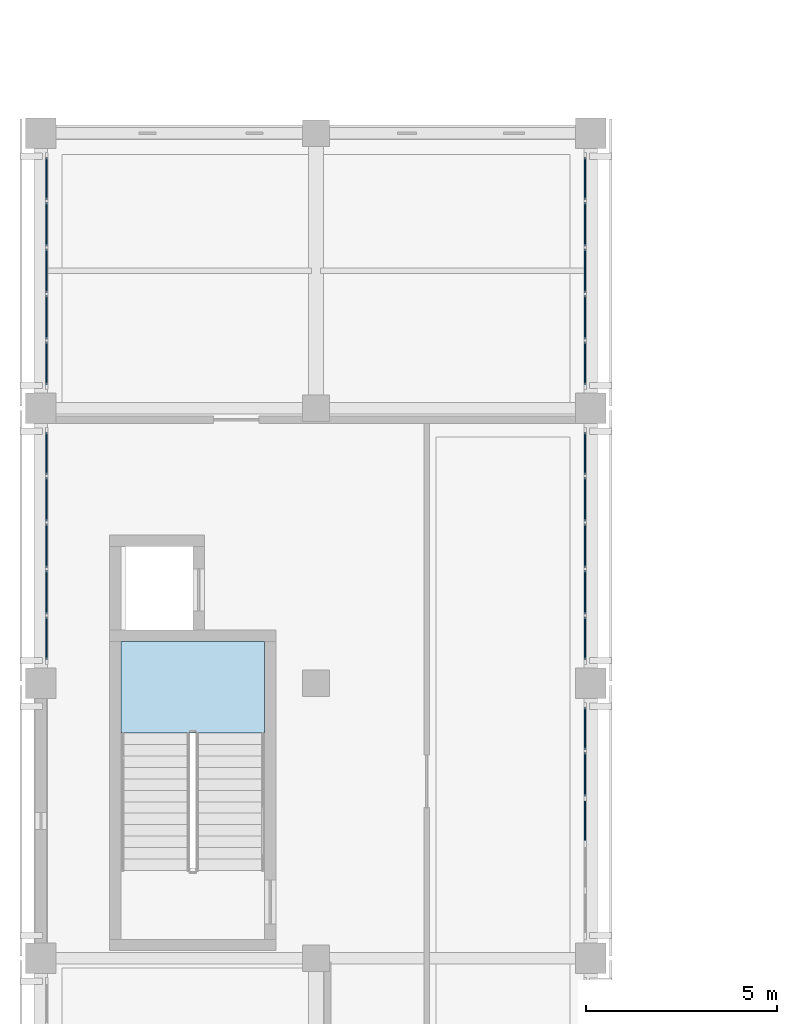
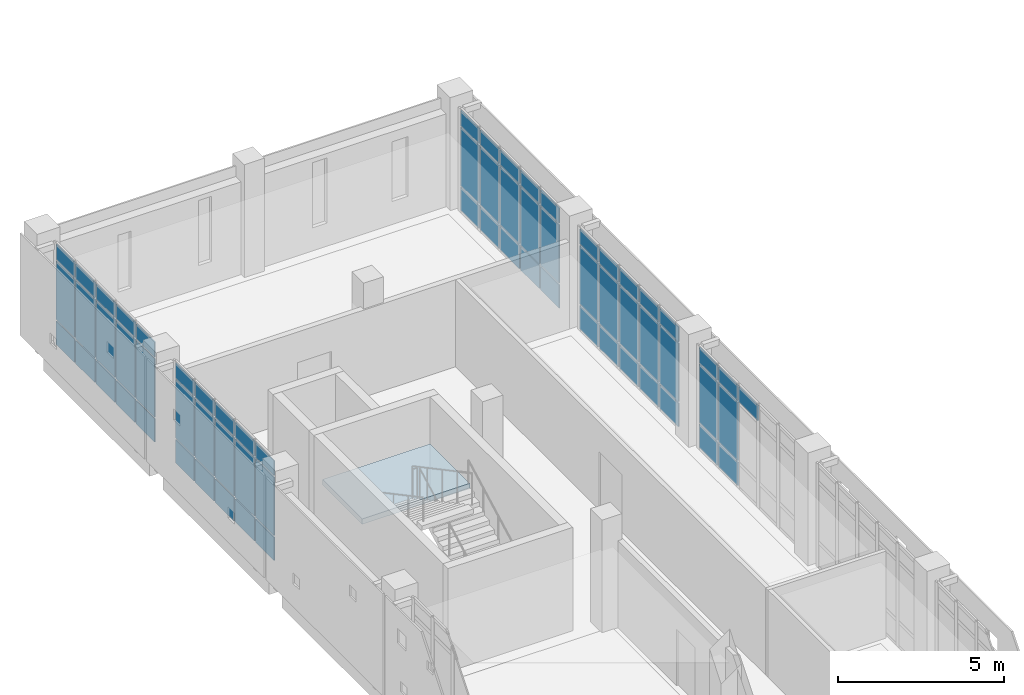
# One storey, part 21 of 33: 67 plates, 1 slab, 6 elements without a shape of their own.
"""IFC4 building model written with IfcOpenShell, lengths in metres."""

import ifcopenshell
import ifcopenshell.guid

model = None  # the IFC model being written
_history = None  # IfcOwnerHistory: only IFC2X3 demands one
_inside = {}  # id of a spatial element -> (the spatial element, [elements in it])
_under = {}  # id of a project, library or spatial element -> (it, [spatial elements below it])
_declared = {}  # id of a project -> (the project, [libraries it declares])
_typed = {}  # id of a type object -> (the type object, [elements of that type])
_made_of = {}  # id of a material, layer set ... -> (it, [elements and type objects made of it])


def new_model(schema):
    """Start an empty IFC model of exactly this schema.

    Asked for "IFC4X3", IfcOpenShell would pick the latest addendum, in which some entities
    have other attributes; the version numbers below select the first issue.
    IFC2X3 requires an IfcOwnerHistory on every rooted entity: one is made here for all.
    """
    global model, _history
    if schema == "IFC4X3":
        model = ifcopenshell.file(schema_version=(4, 3, 0, 0))
    else:
        model = ifcopenshell.file(schema=schema)
    _inside.clear()
    _under.clear()
    _declared.clear()
    _typed.clear()
    _made_of.clear()
    _history = None
    if model.schema == "IFC2X3":
        org = make("IfcOrganization", Name="unknown")
        user = make(
            "IfcPersonAndOrganization",
            ThePerson=make("IfcPerson", FamilyName="unknown"),
            TheOrganization=org,
        )
        app = make(
            "IfcApplication",
            ApplicationDeveloper=org,
            Version="unknown",
            ApplicationFullName="unknown",
            ApplicationIdentifier="unknown",
        )
        _history = make(
            "IfcOwnerHistory",
            OwningUser=user,
            OwningApplication=app,
            ChangeAction="ADDED",
            CreationDate=0,
        )
    return model


def make(cls, **values):
    """One entity of the class cls with the attributes given. An attribute that is None is left unset."""
    return model.create_entity(
        cls, **{name: value for name, value in values.items() if value is not None}
    )


def rooted(cls, **values):
    """An entity with a GlobalId (a new one), such as an element, a storey or a relation."""
    return make(cls, GlobalId=ifcopenshell.guid.new(), OwnerHistory=_history, **values)


def si_unit(unit_type, name, prefix=None):
    """IfcSIUnit, for example si_unit("LENGTHUNIT", "METRE", prefix="MILLI")."""
    return make("IfcSIUnit", UnitType=unit_type, Prefix=prefix, Name=name)


def assignment(units):
    """IfcUnitAssignment: the units of a project."""
    return None if units is None else make("IfcUnitAssignment", Units=units)


def point(xyz):
    """IfcCartesianPoint."""
    return None if xyz is None else make("IfcCartesianPoint", Coordinates=xyz)


def direction(xyz):
    """IfcDirection."""
    return None if xyz is None else make("IfcDirection", DirectionRatios=xyz)


def frame(location, z_axis=None, x_axis=None):
    """IfcAxis2Placement3D, a coordinate frame: its origin and axes. An axis left out is left unset."""
    return make(
        "IfcAxis2Placement3D",
        Location=point(location),
        Axis=direction(z_axis),
        RefDirection=direction(x_axis),
    )


def frame_2d(location, x_axis=None):
    """IfcAxis2Placement2D, a coordinate frame in the plane: its origin and x axis."""
    return make(
        "IfcAxis2Placement2D", Location=point(location), RefDirection=direction(x_axis)
    )


def origin():
    """The frame at (0, 0, 0) with its axes left unset."""
    return frame((0.0, 0.0, 0.0))


def origin_2d():
    """The frame at (0, 0) in the plane with its x axis left unset."""
    return frame_2d((0.0, 0.0))


def place(relative_to, where):
    """IfcLocalPlacement: puts the frame where relative to a parent placement (None: the world)."""
    return make(
        "IfcLocalPlacement", PlacementRelTo=relative_to, RelativePlacement=where
    )


def context(
    kind, dimensions, precision=None, world=None, true_north=None, identifier=None
):
    """IfcGeometricRepresentationContext, for example the 3D "Model" context."""
    return make(
        "IfcGeometricRepresentationContext",
        ContextIdentifier=identifier,
        ContextType=kind,
        CoordinateSpaceDimension=dimensions,
        Precision=precision,
        WorldCoordinateSystem=world,
        TrueNorth=true_north,
    )


def subcontext(parent, identifier, kind, view, scale=None):
    """IfcGeometricRepresentationSubContext, for example "Body" below "Model"."""
    return make(
        "IfcGeometricRepresentationSubContext",
        ContextIdentifier=identifier,
        ContextType=kind,
        ParentContext=parent,
        TargetScale=scale,
        TargetView=view,
    )


def project(units=None, contexts=None):
    """IfcProject with its units and contexts."""
    return rooted(
        "IfcProject",
        Name="project",
        RepresentationContexts=contexts,
        UnitsInContext=assignment(units),
    )


def spatial(cls, under=None, at=None, **own):
    """A site, building, storey or space (cls), placed at a placement, below another one or the project."""
    s = rooted(cls, ObjectPlacement=at, **own)
    if under is not None:
        _under.setdefault(under.id(), (under, []))[1].append(s)
    return s


def polyline(points):
    """IfcPolyline through the points."""
    return make("IfcPolyline", Points=[point(p) for p in points])


def profile(cls, at=None, kind="AREA", **sizes):
    """A parametric profile (cls). Its sizes go by their IFC names, for example OverallWidth=200.0."""
    return make(cls, ProfileType=kind, Position=at, **sizes)


def rectangle(**sizes):
    """IfcRectangleProfileDef."""
    return profile("IfcRectangleProfileDef", **sizes)


def outline(outer, holes=None, kind="AREA"):
    """IfcArbitraryClosedProfileDef: a profile drawn as a closed curve; with holes, ...WithVoids."""
    if holes is None:
        return make("IfcArbitraryClosedProfileDef", ProfileType=kind, OuterCurve=outer)
    return make(
        "IfcArbitraryProfileDefWithVoids",
        ProfileType=kind,
        OuterCurve=outer,
        InnerCurves=holes,
    )


def extrude(swept, where, along, depth):
    """IfcExtrudedAreaSolid: the profile swept, set in the frame where, extruded along a direction by depth."""
    return make(
        "IfcExtrudedAreaSolid",
        SweptArea=swept,
        Position=where,
        ExtrudedDirection=direction(along),
        Depth=depth,
    )


def shape(context_of_items, identifier, shape_type, items):
    """IfcShapeRepresentation: the items that make up one representation, for example the "Body"."""
    return make(
        "IfcShapeRepresentation",
        ContextOfItems=context_of_items,
        RepresentationIdentifier=identifier,
        RepresentationType=shape_type,
        Items=items,
    )


def material(Name=None, Category=None):
    """IfcMaterial."""
    return make("IfcMaterial", Name=Name, Category=Category)


def layer(
    of_material, thickness, ventilated=None, Name=None, Category=None, Priority=None
):
    """IfcMaterialLayer: one layer of a wall or slab, of a material (None: an air gap)."""
    return make(
        "IfcMaterialLayer",
        Material=of_material,
        LayerThickness=thickness,
        IsVentilated=ventilated,
        Name=Name,
        Category=Category,
        Priority=Priority,
    )


def layer_set(layers, Name=None):
    """IfcMaterialLayerSet."""
    return make("IfcMaterialLayerSet", MaterialLayers=layers, LayerSetName=Name)


def made_of(thing, what):
    """Note that an element or type object is made of a material, layer set ...; save() writes the relation."""
    if what is not None:
        _made_of.setdefault(what.id(), (what, []))[1].append(thing)
    return thing


def type_object(cls, material=None, **own):
    """A type object (cls), such as IfcWallType, which elements share."""
    return made_of(rooted(cls, **own), material)


def element(
    cls,
    number,
    at=None,
    inside=None,
    cuts=None,
    type_object=None,
    material=None,
    context=None,
    identifier="Body",
    shape_type=None,
    held_by="IfcProductDefinitionShape",
    body=None,
    shapes=None,
    **own,
):
    """One element of the class cls, such as IfcWall. Its Tag is "e" and its number.

    at: its placement. inside: the storey or other place that contains it. cuts: it is an
    opening in that element (IfcRelVoidsElement). A single representation is given by context,
    identifier, shape_type and body (its items); several are given by shapes. held_by: the class
    of the entity that holds the representations. save() writes the other relations.
    """
    e = rooted(cls, Tag="e%d" % number, ObjectPlacement=at, **own)
    if body is not None:
        shapes = [shape(context, identifier, shape_type, body)]
    if shapes is not None:
        e.Representation = make(held_by, Representations=shapes)
    if inside is not None:
        _inside.setdefault(inside.id(), (inside, []))[1].append(e)
    if cuts is not None:
        rooted(
            "IfcRelVoidsElement", RelatingBuildingElement=cuts, RelatedOpeningElement=e
        )
    if type_object is not None:
        _typed.setdefault(type_object.id(), (type_object, []))[1].append(e)
    return made_of(e, material)


def aggregate(whole, parts):
    """IfcRelAggregates: a whole, such as a stair, and the parts it consists of."""
    return rooted("IfcRelAggregates", RelatingObject=whole, RelatedObjects=parts)


def save(model, path):
    """Write the relations noted so far, then the file.

    IfcRelAggregates (storeys below a building ...), IfcRelContainedInSpatialStructure (elements
    in a storey), IfcRelDefinesByType, IfcRelAssociatesMaterial and IfcRelDeclares: one each for
    every whole, place, type object, material and project.
    """
    for whole, parts in _under.values():
        aggregate(whole, parts)
    for where, things in _inside.values():
        rooted(
            "IfcRelContainedInSpatialStructure",
            RelatedElements=things,
            RelatingStructure=where,
        )
    for kind, things in _typed.values():
        rooted("IfcRelDefinesByType", RelatedObjects=things, RelatingType=kind)
    for what, things in _made_of.values():
        rooted("IfcRelAssociatesMaterial", RelatedObjects=things, RelatingMaterial=what)
    for by, libraries in _declared.values():
        rooted("IfcRelDeclares", RelatingContext=by, RelatedDefinitions=libraries)
    model.write(path)


model = new_model("IFC4")

# Units and contexts
model_context = context("Model", 3, precision=1e-05, world=origin(), true_north=direction((0.0, 1.0)))
body_context = subcontext(model_context, "Body", "Model", "MODEL_VIEW")
ifc_project = project(units=[si_unit("LENGTHUNIT", "METRE"), si_unit("AREAUNIT", "SQUARE_METRE"), si_unit("VOLUMEUNIT", "CUBIC_METRE"), si_unit("PLANEANGLEUNIT", "RADIAN"), si_unit("MASSUNIT", "GRAM", prefix="KILO")], contexts=[model_context])

# Site, building, storey
site_placement = place(None, origin())
site = spatial("IfcSite", under=ifc_project, at=site_placement, CompositionType="ELEMENT")
building_placement = place(site_placement, origin())
building = spatial("IfcBuilding", under=site, at=building_placement, Name="Valkovuoma Quantum and Materials Research Institute", CompositionType="ELEMENT")
storey_placement = place(building_placement, frame((0.0, 0.0, 25.60009765625)))
storey = spatial("IfcBuildingStorey", under=building, at=storey_placement, Name="L06", CompositionType="ELEMENT", Elevation=25.60009765625)

# Curtain wall, plates
ifc_material_1 = material(Name="Thermally broken aluminium and triple low-E glazing", Category="aluminium")
ifc_layer_1 = layer(ifc_material_1, 0.219970703125)
ifc_layer_set_1 = layer_set([ifc_layer_1], Name="Thermally broken aluminium and triple low-E glazing")
curtain_wall_type = type_object("IfcCurtainWallType", Name="CW-CW-01", PredefinedType="NOTDEFINED", material=ifc_layer_set_1)
curtain_wall_1_placement = place(storey_placement, origin())
curtain_wall_1 = element("IfcCurtainWall", 1, at=curtain_wall_1_placement, inside=storey, type_object=curtain_wall_type, Name="L06 curtain wall 087", PredefinedType="NOTDEFINED")
ifc_material_2 = material(Name="Triple low-E argon insulating glass", Category="glass")
ifc_layer_2 = layer(ifc_material_2, 0.035888671875)
ifc_layer_set_2 = layer_set([ifc_layer_2], Name="Triple low-E argon insulating glass")
plate_type_1 = type_object("IfcPlateType", Name="CWPanel-CWP-01", PredefinedType="CURTAIN_PANEL", material=ifc_layer_set_2)
plate_1_placement = place(storey_placement, frame((0.14990234375, 80.3818359375, 0.06494140625), z_axis=(0.0, 0.0, 1.0), x_axis=(0.0, 1.0, 0.0)))
plate_1 = element("IfcPlate", 2, at=plate_1_placement, type_object=plate_type_1, Name="CW-01 panel 1.1", PredefinedType="CURTAIN_PANEL", context=body_context, shape_type="SweptSolid", body=[
    extrude(rectangle(XDim=1.11962890625, YDim=0.035888671875, at=origin_2d()), origin(), (0.0, 0.0, 1.0), 0.8525390625),
])
plate_2_placement = place(storey_placement, frame((0.14990234375, 80.3818359375, 0.982421875), z_axis=(0.0, 0.0, 1.0), x_axis=(0.0, 1.0, 0.0)))
plate_2 = element("IfcPlate", 3, at=plate_2_placement, type_object=plate_type_1, Name="CW-01 panel 1.2", PredefinedType="CURTAIN_PANEL", context=body_context, shape_type="SweptSolid", body=[
    extrude(rectangle(XDim=1.11962890625, YDim=0.035888671875, at=origin_2d()), origin(), (0.0, 0.0, 1.0), 2.14501953125),
])
plate_3_placement = place(storey_placement, frame((0.14990234375, 80.3818359375, 3.1923828125), z_axis=(0.0, 0.0, 1.0), x_axis=(0.0, 1.0, 0.0)))
plate_3 = element("IfcPlate", 4, at=plate_3_placement, type_object=plate_type_1, Name="CW-01 panel 1.3", PredefinedType="CURTAIN_PANEL", context=body_context, shape_type="SweptSolid", body=[
    extrude(rectangle(XDim=1.11962890625, YDim=0.035888671875, at=origin_2d()), origin(), (0.0, 0.0, 1.0), 0.552490234375),
])
plate_4_placement = place(storey_placement, frame((0.14990234375, 81.582763671875, 0.06494140625), z_axis=(0.0, 0.0, 1.0), x_axis=(0.0, 1.0, 0.0)))
plate_4 = element("IfcPlate", 5, at=plate_4_placement, type_object=plate_type_1, Name="CW-01 panel 2.1", PredefinedType="CURTAIN_PANEL", context=body_context, shape_type="SweptSolid", body=[
    extrude(rectangle(XDim=1.152099609375, YDim=0.035888671875, at=origin_2d()), origin(), (0.0, 0.0, 1.0), 0.8525390625),
])
plate_5_placement = place(storey_placement, frame((0.14990234375, 81.582763671875, 0.982421875), z_axis=(0.0, 0.0, 1.0), x_axis=(0.0, 1.0, 0.0)))
plate_5 = element("IfcPlate", 6, at=plate_5_placement, type_object=plate_type_1, Name="CW-01 panel 2.2", PredefinedType="CURTAIN_PANEL", context=body_context, shape_type="SweptSolid", body=[
    extrude(rectangle(XDim=1.152099609375, YDim=0.035888671875, at=origin_2d()), origin(), (0.0, 0.0, 1.0), 2.14501953125),
])
plate_6_placement = place(storey_placement, frame((0.14990234375, 81.582763671875, 3.1923828125), z_axis=(0.0, 0.0, 1.0), x_axis=(0.0, 1.0, 0.0)))
plate_6 = element("IfcPlate", 7, at=plate_6_placement, type_object=plate_type_1, Name="CW-01 panel 2.3", PredefinedType="CURTAIN_PANEL", context=body_context, shape_type="SweptSolid", body=[
    extrude(rectangle(XDim=1.152099609375, YDim=0.035888671875, at=origin_2d()), origin(), (0.0, 0.0, 1.0), 0.552490234375),
])
plate_7_placement = place(storey_placement, frame((0.14990234375, 82.800048828125, 0.06494140625), z_axis=(0.0, 0.0, 1.0), x_axis=(0.0, 1.0, 0.0)))
plate_7 = element("IfcPlate", 8, at=plate_7_placement, type_object=plate_type_1, Name="CW-01 panel 3.1", PredefinedType="CURTAIN_PANEL", context=body_context, shape_type="SweptSolid", body=[
    extrude(rectangle(XDim=1.152099609375, YDim=0.035888671875, at=origin_2d()), origin(), (0.0, 0.0, 1.0), 0.8525390625),
])
plate_8_placement = place(storey_placement, frame((0.14990234375, 82.800048828125, 0.982421875), z_axis=(0.0, 0.0, 1.0), x_axis=(0.0, 1.0, 0.0)))
plate_8 = element("IfcPlate", 9, at=plate_8_placement, type_object=plate_type_1, Name="CW-01 panel 3.2", PredefinedType="CURTAIN_PANEL", context=body_context, shape_type="SweptSolid", body=[
    extrude(rectangle(XDim=1.152099609375, YDim=0.035888671875, at=origin_2d()), origin(), (0.0, 0.0, 1.0), 2.14501953125),
])
plate_9_placement = place(storey_placement, frame((0.14990234375, 82.800048828125, 3.1923828125), z_axis=(0.0, 0.0, 1.0), x_axis=(0.0, 1.0, 0.0)))
plate_9 = element("IfcPlate", 10, at=plate_9_placement, type_object=plate_type_1, Name="CW-01 panel 3.3", PredefinedType="CURTAIN_PANEL", context=body_context, shape_type="SweptSolid", body=[
    extrude(rectangle(XDim=1.152099609375, YDim=0.035888671875, at=origin_2d()), origin(), (0.0, 0.0, 1.0), 0.552490234375),
])
plate_10_placement = place(storey_placement, frame((0.14990234375, 84.01708984375, 0.06494140625), z_axis=(0.0, 0.0, 1.0), x_axis=(0.0, 1.0, 0.0)))
plate_10 = element("IfcPlate", 11, at=plate_10_placement, type_object=plate_type_1, Name="CW-01 panel 4.1", PredefinedType="CURTAIN_PANEL", context=body_context, shape_type="SweptSolid", body=[
    extrude(rectangle(XDim=1.152099609375, YDim=0.035888671875, at=origin_2d()), origin(), (0.0, 0.0, 1.0), 0.8525390625),
])
plate_11_placement = place(storey_placement, frame((0.14990234375, 84.01708984375, 0.982421875), z_axis=(0.0, 0.0, 1.0), x_axis=(0.0, 1.0, 0.0)))
plate_11 = element("IfcPlate", 12, at=plate_11_placement, type_object=plate_type_1, Name="CW-01 panel 4.2", PredefinedType="CURTAIN_PANEL", context=body_context, shape_type="SweptSolid", body=[
    extrude(rectangle(XDim=1.152099609375, YDim=0.035888671875, at=origin_2d()), origin(), (0.0, 0.0, 1.0), 2.14501953125),
])
plate_12_placement = place(storey_placement, frame((0.14990234375, 84.01708984375, 3.1923828125), z_axis=(0.0, 0.0, 1.0), x_axis=(0.0, 1.0, 0.0)))
plate_12 = element("IfcPlate", 13, at=plate_12_placement, type_object=plate_type_1, Name="CW-01 panel 4.3", PredefinedType="CURTAIN_PANEL", context=body_context, shape_type="SweptSolid", body=[
    extrude(rectangle(XDim=1.152099609375, YDim=0.035888671875, at=origin_2d()), origin(), (0.0, 0.0, 1.0), 0.552490234375),
])
plate_13_placement = place(storey_placement, frame((0.14990234375, 85.218017578125, 0.06494140625), z_axis=(0.0, 0.0, 1.0), x_axis=(0.0, 1.0, 0.0)))
plate_13 = element("IfcPlate", 14, at=plate_13_placement, type_object=plate_type_1, Name="CW-01 panel 5.1", PredefinedType="CURTAIN_PANEL", context=body_context, shape_type="SweptSolid", body=[
    extrude(rectangle(XDim=1.11962890625, YDim=0.035888671875, at=origin_2d()), origin(), (0.0, 0.0, 1.0), 0.8525390625),
])
plate_14_placement = place(storey_placement, frame((0.14990234375, 85.218017578125, 0.982421875), z_axis=(0.0, 0.0, 1.0), x_axis=(0.0, 1.0, 0.0)))
plate_14 = element("IfcPlate", 15, at=plate_14_placement, type_object=plate_type_1, Name="CW-01 panel 5.2", PredefinedType="CURTAIN_PANEL", context=body_context, shape_type="SweptSolid", body=[
    extrude(rectangle(XDim=1.11962890625, YDim=0.035888671875, at=origin_2d()), origin(), (0.0, 0.0, 1.0), 2.14501953125),
])
plate_15_placement = place(storey_placement, frame((0.14990234375, 85.218017578125, 3.1923828125), z_axis=(0.0, 0.0, 1.0), x_axis=(0.0, 1.0, 0.0)))
plate_15 = element("IfcPlate", 16, at=plate_15_placement, type_object=plate_type_1, Name="CW-01 panel 5.3", PredefinedType="CURTAIN_PANEL", context=body_context, shape_type="SweptSolid", body=[
    extrude(rectangle(XDim=1.11962890625, YDim=0.035888671875, at=origin_2d()), origin(), (0.0, 0.0, 1.0), 0.552490234375),
])
aggregate(curtain_wall_1, [plate_1, plate_2, plate_3, plate_4, plate_5, plate_6, plate_7, plate_8, plate_9, plate_10, plate_11, plate_12, plate_13, plate_14, plate_15])

curtain_wall_2_placement = place(storey_placement, origin())
curtain_wall_2 = element("IfcCurtainWall", 17, at=curtain_wall_2_placement, inside=storey, type_object=curtain_wall_type, Name="L06 curtain wall 089", PredefinedType="NOTDEFINED")
plate_16_placement = place(storey_placement, frame((0.14990234375, 87.58203125, 0.06494140625), z_axis=(0.0, 0.0, 1.0), x_axis=(0.0, 1.0, 0.0)))
plate_16 = element("IfcPlate", 18, at=plate_16_placement, type_object=plate_type_1, Name="CW-01 panel 1.1", PredefinedType="CURTAIN_PANEL", context=body_context, shape_type="SweptSolid", body=[
    extrude(rectangle(XDim=1.11962890625, YDim=0.035888671875, at=origin_2d()), origin(), (0.0, 0.0, 1.0), 0.8525390625),
])
plate_17_placement = place(storey_placement, frame((0.14990234375, 87.58203125, 0.982421875), z_axis=(0.0, 0.0, 1.0), x_axis=(0.0, 1.0, 0.0)))
plate_17 = element("IfcPlate", 19, at=plate_17_placement, type_object=plate_type_1, Name="CW-01 panel 1.2", PredefinedType="CURTAIN_PANEL", context=body_context, shape_type="SweptSolid", body=[
    extrude(rectangle(XDim=1.11962890625, YDim=0.035888671875, at=origin_2d()), origin(), (0.0, 0.0, 1.0), 2.14501953125),
])
plate_18_placement = place(storey_placement, frame((0.14990234375, 87.58203125, 3.1923828125), z_axis=(0.0, 0.0, 1.0), x_axis=(0.0, 1.0, 0.0)))
plate_18 = element("IfcPlate", 20, at=plate_18_placement, type_object=plate_type_1, Name="CW-01 panel 1.3", PredefinedType="CURTAIN_PANEL", context=body_context, shape_type="SweptSolid", body=[
    extrude(rectangle(XDim=1.11962890625, YDim=0.035888671875, at=origin_2d()), origin(), (0.0, 0.0, 1.0), 0.552490234375),
])
plate_19_placement = place(storey_placement, frame((0.14990234375, 88.782958984375, 0.06494140625), z_axis=(0.0, 0.0, 1.0), x_axis=(0.0, 1.0, 0.0)))
plate_19 = element("IfcPlate", 21, at=plate_19_placement, type_object=plate_type_1, Name="CW-01 panel 2.1", PredefinedType="CURTAIN_PANEL", context=body_context, shape_type="SweptSolid", body=[
    extrude(rectangle(XDim=1.152099609375, YDim=0.035888671875, at=origin_2d()), origin(), (0.0, 0.0, 1.0), 0.8525390625),
])
plate_20_placement = place(storey_placement, frame((0.14990234375, 88.782958984375, 0.982421875), z_axis=(0.0, 0.0, 1.0), x_axis=(0.0, 1.0, 0.0)))
plate_20 = element("IfcPlate", 22, at=plate_20_placement, type_object=plate_type_1, Name="CW-01 panel 2.2", PredefinedType="CURTAIN_PANEL", context=body_context, shape_type="SweptSolid", body=[
    extrude(rectangle(XDim=1.152099609375, YDim=0.035888671875, at=origin_2d()), origin(), (0.0, 0.0, 1.0), 2.14501953125),
])
plate_21_placement = place(storey_placement, frame((0.14990234375, 88.782958984375, 3.1923828125), z_axis=(0.0, 0.0, 1.0), x_axis=(0.0, 1.0, 0.0)))
plate_21 = element("IfcPlate", 23, at=plate_21_placement, type_object=plate_type_1, Name="CW-01 panel 2.3", PredefinedType="CURTAIN_PANEL", context=body_context, shape_type="SweptSolid", body=[
    extrude(rectangle(XDim=1.152099609375, YDim=0.035888671875, at=origin_2d()), origin(), (0.0, 0.0, 1.0), 0.552490234375),
])
plate_22_placement = place(storey_placement, frame((0.14990234375, 90.0, 0.06494140625), z_axis=(0.0, 0.0, 1.0), x_axis=(0.0, 1.0, 0.0)))
plate_22 = element("IfcPlate", 24, at=plate_22_placement, type_object=plate_type_1, Name="CW-01 panel 3.1", PredefinedType="CURTAIN_PANEL", context=body_context, shape_type="SweptSolid", body=[
    extrude(rectangle(XDim=1.152099609375, YDim=0.035888671875, at=origin_2d()), origin(), (0.0, 0.0, 1.0), 0.8525390625),
])
plate_23_placement = place(storey_placement, frame((0.14990234375, 90.0, 0.982421875), z_axis=(0.0, 0.0, 1.0), x_axis=(0.0, 1.0, 0.0)))
plate_23 = element("IfcPlate", 25, at=plate_23_placement, type_object=plate_type_1, Name="CW-01 panel 3.2", PredefinedType="CURTAIN_PANEL", context=body_context, shape_type="SweptSolid", body=[
    extrude(rectangle(XDim=1.152099609375, YDim=0.035888671875, at=origin_2d()), origin(), (0.0, 0.0, 1.0), 2.14501953125),
])
plate_24_placement = place(storey_placement, frame((0.14990234375, 90.0, 3.1923828125), z_axis=(0.0, 0.0, 1.0), x_axis=(0.0, 1.0, 0.0)))
plate_24 = element("IfcPlate", 26, at=plate_24_placement, type_object=plate_type_1, Name="CW-01 panel 3.3", PredefinedType="CURTAIN_PANEL", context=body_context, shape_type="SweptSolid", body=[
    extrude(rectangle(XDim=1.152099609375, YDim=0.035888671875, at=origin_2d()), origin(), (0.0, 0.0, 1.0), 0.552490234375),
])
plate_25_placement = place(storey_placement, frame((0.14990234375, 91.217041015625, 0.06494140625), z_axis=(0.0, 0.0, 1.0), x_axis=(0.0, 1.0, 0.0)))
plate_25 = element("IfcPlate", 27, at=plate_25_placement, type_object=plate_type_1, Name="CW-01 panel 4.1", PredefinedType="CURTAIN_PANEL", context=body_context, shape_type="SweptSolid", body=[
    extrude(rectangle(XDim=1.152099609375, YDim=0.035888671875, at=origin_2d()), origin(), (0.0, 0.0, 1.0), 0.8525390625),
])
plate_26_placement = place(storey_placement, frame((0.14990234375, 91.217041015625, 0.982421875), z_axis=(0.0, 0.0, 1.0), x_axis=(0.0, 1.0, 0.0)))
plate_26 = element("IfcPlate", 28, at=plate_26_placement, type_object=plate_type_1, Name="CW-01 panel 4.2", PredefinedType="CURTAIN_PANEL", context=body_context, shape_type="SweptSolid", body=[
    extrude(rectangle(XDim=1.152099609375, YDim=0.035888671875, at=origin_2d()), origin(), (0.0, 0.0, 1.0), 2.14501953125),
])
plate_27_placement = place(storey_placement, frame((0.14990234375, 91.217041015625, 3.1923828125), z_axis=(0.0, 0.0, 1.0), x_axis=(0.0, 1.0, 0.0)))
plate_27 = element("IfcPlate", 29, at=plate_27_placement, type_object=plate_type_1, Name="CW-01 panel 4.3", PredefinedType="CURTAIN_PANEL", context=body_context, shape_type="SweptSolid", body=[
    extrude(rectangle(XDim=1.152099609375, YDim=0.035888671875, at=origin_2d()), origin(), (0.0, 0.0, 1.0), 0.552490234375),
])
plate_28_placement = place(storey_placement, frame((0.14990234375, 92.41796875, 0.06494140625), z_axis=(0.0, 0.0, 1.0), x_axis=(0.0, 1.0, 0.0)))
plate_28 = element("IfcPlate", 30, at=plate_28_placement, type_object=plate_type_1, Name="CW-01 panel 5.1", PredefinedType="CURTAIN_PANEL", context=body_context, shape_type="SweptSolid", body=[
    extrude(rectangle(XDim=1.11962890625, YDim=0.035888671875, at=origin_2d()), origin(), (0.0, 0.0, 1.0), 0.8525390625),
])
plate_29_placement = place(storey_placement, frame((0.14990234375, 92.41796875, 0.982421875), z_axis=(0.0, 0.0, 1.0), x_axis=(0.0, 1.0, 0.0)))
plate_29 = element("IfcPlate", 31, at=plate_29_placement, type_object=plate_type_1, Name="CW-01 panel 5.2", PredefinedType="CURTAIN_PANEL", context=body_context, shape_type="SweptSolid", body=[
    extrude(rectangle(XDim=1.11962890625, YDim=0.035888671875, at=origin_2d()), origin(), (0.0, 0.0, 1.0), 2.14501953125),
])
plate_30_placement = place(storey_placement, frame((0.14990234375, 92.41796875, 3.1923828125), z_axis=(0.0, 0.0, 1.0), x_axis=(0.0, 1.0, 0.0)))
plate_30 = element("IfcPlate", 32, at=plate_30_placement, type_object=plate_type_1, Name="CW-01 panel 5.3", PredefinedType="CURTAIN_PANEL", context=body_context, shape_type="SweptSolid", body=[
    extrude(rectangle(XDim=1.11962890625, YDim=0.035888671875, at=origin_2d()), origin(), (0.0, 0.0, 1.0), 0.552490234375),
])
aggregate(curtain_wall_2, [plate_16, plate_17, plate_18, plate_19, plate_20, plate_21, plate_22, plate_23, plate_24, plate_25, plate_26, plate_27, plate_28, plate_29, plate_30])

curtain_wall_3_placement = place(storey_placement, origin())
curtain_wall_3 = element("IfcCurtainWall", 33, at=curtain_wall_3_placement, inside=storey, type_object=curtain_wall_type, Name="L06 curtain wall 086", PredefinedType="NOTDEFINED")
ifc_material_3 = material(Name="Triple low-E argon insulating glass", Category="glass")
ifc_layer_3 = layer(ifc_material_3, 0.0419921875)
ifc_layer_set_3 = layer_set([ifc_layer_3], Name="Triple low-E argon insulating glass")
plate_type_2 = type_object("IfcPlateType", Name="CWPanel-CWP-02", PredefinedType="CURTAIN_PANEL", material=ifc_layer_set_3)
plate_31_placement = place(storey_placement, frame((14.25, 75.60009765625, 3.1923828125), z_axis=(0.0, 0.0, 1.0), x_axis=(0.0, 1.0, 0.0)))
plate_31 = element("IfcPlate", 34, at=plate_31_placement, type_object=plate_type_2, Name="CW-01 panel 3.3", PredefinedType="CURTAIN_PANEL", context=body_context, shape_type="SweptSolid", body=[
    extrude(rectangle(XDim=1.152099609375, YDim=0.0419921875, at=origin_2d()), origin(), (0.0, 0.0, 1.0), 0.552490234375),
])
plate_32_placement = place(storey_placement, frame((14.25, 76.817138671875, 0.06494140625), z_axis=(0.0, 0.0, 1.0), x_axis=(0.0, 1.0, 0.0)))
plate_32 = element("IfcPlate", 35, at=plate_32_placement, type_object=plate_type_2, Name="CW-01 panel 4.1", PredefinedType="CURTAIN_PANEL", context=body_context, shape_type="SweptSolid", body=[
    extrude(rectangle(XDim=1.152099609375, YDim=0.0419921875, at=origin_2d()), origin(), (0.0, 0.0, 1.0), 0.8525390625),
])
plate_33_placement = place(storey_placement, frame((14.25, 76.817138671875, 0.982421875), z_axis=(0.0, 0.0, 1.0), x_axis=(0.0, 1.0, 0.0)))
plate_33 = element("IfcPlate", 36, at=plate_33_placement, type_object=plate_type_2, Name="CW-01 panel 4.2", PredefinedType="CURTAIN_PANEL", context=body_context, shape_type="SweptSolid", body=[
    extrude(rectangle(XDim=1.152099609375, YDim=0.0419921875, at=origin_2d()), origin(), (0.0, 0.0, 1.0), 2.14501953125),
])
plate_34_placement = place(storey_placement, frame((14.25, 76.817138671875, 3.1923828125), z_axis=(0.0, 0.0, 1.0), x_axis=(0.0, 1.0, 0.0)))
plate_34 = element("IfcPlate", 37, at=plate_34_placement, type_object=plate_type_2, Name="CW-01 panel 4.3", PredefinedType="CURTAIN_PANEL", context=body_context, shape_type="SweptSolid", body=[
    extrude(rectangle(XDim=1.152099609375, YDim=0.0419921875, at=origin_2d()), origin(), (0.0, 0.0, 1.0), 0.552490234375),
])
plate_35_placement = place(storey_placement, frame((14.25, 78.01806640625, 0.06494140625), z_axis=(0.0, 0.0, 1.0), x_axis=(0.0, 1.0, 0.0)))
plate_35 = element("IfcPlate", 38, at=plate_35_placement, type_object=plate_type_2, Name="CW-01 panel 5.1", PredefinedType="CURTAIN_PANEL", context=body_context, shape_type="SweptSolid", body=[
    extrude(rectangle(XDim=1.11962890625, YDim=0.0419921875, at=origin_2d()), origin(), (0.0, 0.0, 1.0), 0.8525390625),
])
plate_36_placement = place(storey_placement, frame((14.25, 78.01806640625, 0.982421875), z_axis=(0.0, 0.0, 1.0), x_axis=(0.0, 1.0, 0.0)))
plate_36 = element("IfcPlate", 39, at=plate_36_placement, type_object=plate_type_2, Name="CW-01 panel 5.2", PredefinedType="CURTAIN_PANEL", context=body_context, shape_type="SweptSolid", body=[
    extrude(rectangle(XDim=1.11962890625, YDim=0.0419921875, at=origin_2d()), origin(), (0.0, 0.0, 1.0), 2.14501953125),
])
plate_37_placement = place(storey_placement, frame((14.25, 78.01806640625, 3.1923828125), z_axis=(0.0, 0.0, 1.0), x_axis=(0.0, 1.0, 0.0)))
plate_37 = element("IfcPlate", 40, at=plate_37_placement, type_object=plate_type_2, Name="CW-01 panel 5.3", PredefinedType="CURTAIN_PANEL", context=body_context, shape_type="SweptSolid", body=[
    extrude(rectangle(XDim=1.11962890625, YDim=0.0419921875, at=origin_2d()), origin(), (0.0, 0.0, 1.0), 0.552490234375),
])
aggregate(curtain_wall_3, [plate_31, plate_32, plate_33, plate_34, plate_35, plate_36, plate_37])

curtain_wall_4_placement = place(storey_placement, origin())
curtain_wall_4 = element("IfcCurtainWall", 41, at=curtain_wall_4_placement, inside=storey, type_object=curtain_wall_type, Name="L06 curtain wall 088", PredefinedType="NOTDEFINED")
plate_38_placement = place(storey_placement, frame((14.25, 80.3818359375, 0.06494140625), z_axis=(0.0, 0.0, 1.0), x_axis=(0.0, 1.0, 0.0)))
plate_38 = element("IfcPlate", 42, at=plate_38_placement, type_object=plate_type_2, Name="CW-01 panel 1.1", PredefinedType="CURTAIN_PANEL", context=body_context, shape_type="SweptSolid", body=[
    extrude(rectangle(XDim=1.11962890625, YDim=0.0419921875, at=origin_2d()), origin(), (0.0, 0.0, 1.0), 0.8525390625),
])
plate_39_placement = place(storey_placement, frame((14.25, 80.3818359375, 0.982421875), z_axis=(0.0, 0.0, 1.0), x_axis=(0.0, 1.0, 0.0)))
plate_39 = element("IfcPlate", 43, at=plate_39_placement, type_object=plate_type_2, Name="CW-01 panel 1.2", PredefinedType="CURTAIN_PANEL", context=body_context, shape_type="SweptSolid", body=[
    extrude(rectangle(XDim=1.11962890625, YDim=0.0419921875, at=origin_2d()), origin(), (0.0, 0.0, 1.0), 2.14501953125),
])
plate_40_placement = place(storey_placement, frame((14.25, 80.3818359375, 3.1923828125), z_axis=(0.0, 0.0, 1.0), x_axis=(0.0, 1.0, 0.0)))
plate_40 = element("IfcPlate", 44, at=plate_40_placement, type_object=plate_type_2, Name="CW-01 panel 1.3", PredefinedType="CURTAIN_PANEL", context=body_context, shape_type="SweptSolid", body=[
    extrude(rectangle(XDim=1.11962890625, YDim=0.0419921875, at=origin_2d()), origin(), (0.0, 0.0, 1.0), 0.552490234375),
])
plate_41_placement = place(storey_placement, frame((14.25, 81.582763671875, 0.06494140625), z_axis=(0.0, 0.0, 1.0), x_axis=(0.0, 1.0, 0.0)))
plate_41 = element("IfcPlate", 45, at=plate_41_placement, type_object=plate_type_2, Name="CW-01 panel 2.1", PredefinedType="CURTAIN_PANEL", context=body_context, shape_type="SweptSolid", body=[
    extrude(rectangle(XDim=1.152099609375, YDim=0.0419921875, at=origin_2d()), origin(), (0.0, 0.0, 1.0), 0.8525390625),
])
plate_42_placement = place(storey_placement, frame((14.25, 81.582763671875, 0.982421875), z_axis=(0.0, 0.0, 1.0), x_axis=(0.0, 1.0, 0.0)))
plate_42 = element("IfcPlate", 46, at=plate_42_placement, type_object=plate_type_2, Name="CW-01 panel 2.2", PredefinedType="CURTAIN_PANEL", context=body_context, shape_type="SweptSolid", body=[
    extrude(rectangle(XDim=1.152099609375, YDim=0.0419921875, at=origin_2d()), origin(), (0.0, 0.0, 1.0), 2.14501953125),
])
plate_43_placement = place(storey_placement, frame((14.25, 81.582763671875, 3.1923828125), z_axis=(0.0, 0.0, 1.0), x_axis=(0.0, 1.0, 0.0)))
plate_43 = element("IfcPlate", 47, at=plate_43_placement, type_object=plate_type_2, Name="CW-01 panel 2.3", PredefinedType="CURTAIN_PANEL", context=body_context, shape_type="SweptSolid", body=[
    extrude(rectangle(XDim=1.152099609375, YDim=0.0419921875, at=origin_2d()), origin(), (0.0, 0.0, 1.0), 0.552490234375),
])
plate_44_placement = place(storey_placement, frame((14.25, 82.800048828125, 0.06494140625), z_axis=(0.0, 0.0, 1.0), x_axis=(0.0, 1.0, 0.0)))
plate_44 = element("IfcPlate", 48, at=plate_44_placement, type_object=plate_type_2, Name="CW-01 panel 3.1", PredefinedType="CURTAIN_PANEL", context=body_context, shape_type="SweptSolid", body=[
    extrude(rectangle(XDim=1.152099609375, YDim=0.0419921875, at=origin_2d()), origin(), (0.0, 0.0, 1.0), 0.8525390625),
])
plate_45_placement = place(storey_placement, frame((14.25, 82.800048828125, 0.982421875), z_axis=(0.0, 0.0, 1.0), x_axis=(0.0, 1.0, 0.0)))
plate_45 = element("IfcPlate", 49, at=plate_45_placement, type_object=plate_type_2, Name="CW-01 panel 3.2", PredefinedType="CURTAIN_PANEL", context=body_context, shape_type="SweptSolid", body=[
    extrude(rectangle(XDim=1.152099609375, YDim=0.0419921875, at=origin_2d()), origin(), (0.0, 0.0, 1.0), 2.14501953125),
])
plate_46_placement = place(storey_placement, frame((14.25, 82.800048828125, 3.1923828125), z_axis=(0.0, 0.0, 1.0), x_axis=(0.0, 1.0, 0.0)))
plate_46 = element("IfcPlate", 50, at=plate_46_placement, type_object=plate_type_2, Name="CW-01 panel 3.3", PredefinedType="CURTAIN_PANEL", context=body_context, shape_type="SweptSolid", body=[
    extrude(rectangle(XDim=1.152099609375, YDim=0.0419921875, at=origin_2d()), origin(), (0.0, 0.0, 1.0), 0.552490234375),
])
plate_47_placement = place(storey_placement, frame((14.25, 84.01708984375, 0.06494140625), z_axis=(0.0, 0.0, 1.0), x_axis=(0.0, 1.0, 0.0)))
plate_47 = element("IfcPlate", 51, at=plate_47_placement, type_object=plate_type_2, Name="CW-01 panel 4.1", PredefinedType="CURTAIN_PANEL", context=body_context, shape_type="SweptSolid", body=[
    extrude(rectangle(XDim=1.152099609375, YDim=0.0419921875, at=origin_2d()), origin(), (0.0, 0.0, 1.0), 0.8525390625),
])
plate_48_placement = place(storey_placement, frame((14.25, 84.01708984375, 0.982421875), z_axis=(0.0, 0.0, 1.0), x_axis=(0.0, 1.0, 0.0)))
plate_48 = element("IfcPlate", 52, at=plate_48_placement, type_object=plate_type_2, Name="CW-01 panel 4.2", PredefinedType="CURTAIN_PANEL", context=body_context, shape_type="SweptSolid", body=[
    extrude(rectangle(XDim=1.152099609375, YDim=0.0419921875, at=origin_2d()), origin(), (0.0, 0.0, 1.0), 2.14501953125),
])
plate_49_placement = place(storey_placement, frame((14.25, 84.01708984375, 3.1923828125), z_axis=(0.0, 0.0, 1.0), x_axis=(0.0, 1.0, 0.0)))
plate_49 = element("IfcPlate", 53, at=plate_49_placement, type_object=plate_type_2, Name="CW-01 panel 4.3", PredefinedType="CURTAIN_PANEL", context=body_context, shape_type="SweptSolid", body=[
    extrude(rectangle(XDim=1.152099609375, YDim=0.0419921875, at=origin_2d()), origin(), (0.0, 0.0, 1.0), 0.552490234375),
])
plate_50_placement = place(storey_placement, frame((14.25, 85.218017578125, 0.06494140625), z_axis=(0.0, 0.0, 1.0), x_axis=(0.0, 1.0, 0.0)))
plate_50 = element("IfcPlate", 54, at=plate_50_placement, type_object=plate_type_2, Name="CW-01 panel 5.1", PredefinedType="CURTAIN_PANEL", context=body_context, shape_type="SweptSolid", body=[
    extrude(rectangle(XDim=1.11962890625, YDim=0.0419921875, at=origin_2d()), origin(), (0.0, 0.0, 1.0), 0.8525390625),
])
plate_51_placement = place(storey_placement, frame((14.25, 85.218017578125, 0.982421875), z_axis=(0.0, 0.0, 1.0), x_axis=(0.0, 1.0, 0.0)))
plate_51 = element("IfcPlate", 55, at=plate_51_placement, type_object=plate_type_2, Name="CW-01 panel 5.2", PredefinedType="CURTAIN_PANEL", context=body_context, shape_type="SweptSolid", body=[
    extrude(rectangle(XDim=1.11962890625, YDim=0.0419921875, at=origin_2d()), origin(), (0.0, 0.0, 1.0), 2.14501953125),
])
plate_52_placement = place(storey_placement, frame((14.25, 85.218017578125, 3.1923828125), z_axis=(0.0, 0.0, 1.0), x_axis=(0.0, 1.0, 0.0)))
plate_52 = element("IfcPlate", 56, at=plate_52_placement, type_object=plate_type_2, Name="CW-01 panel 5.3", PredefinedType="CURTAIN_PANEL", context=body_context, shape_type="SweptSolid", body=[
    extrude(rectangle(XDim=1.11962890625, YDim=0.0419921875, at=origin_2d()), origin(), (0.0, 0.0, 1.0), 0.552490234375),
])
aggregate(curtain_wall_4, [plate_38, plate_39, plate_40, plate_41, plate_42, plate_43, plate_44, plate_45, plate_46, plate_47, plate_48, plate_49, plate_50, plate_51, plate_52])

curtain_wall_5_placement = place(storey_placement, origin())
curtain_wall_5 = element("IfcCurtainWall", 57, at=curtain_wall_5_placement, inside=storey, type_object=curtain_wall_type, Name="L06 curtain wall 090", PredefinedType="NOTDEFINED")
plate_53_placement = place(storey_placement, frame((14.25, 87.58203125, 0.06494140625), z_axis=(0.0, 0.0, 1.0), x_axis=(0.0, 1.0, 0.0)))
plate_53 = element("IfcPlate", 58, at=plate_53_placement, type_object=plate_type_2, Name="CW-01 panel 1.1", PredefinedType="CURTAIN_PANEL", context=body_context, shape_type="SweptSolid", body=[
    extrude(rectangle(XDim=1.11962890625, YDim=0.0419921875, at=origin_2d()), origin(), (0.0, 0.0, 1.0), 0.8525390625),
])
plate_54_placement = place(storey_placement, frame((14.25, 87.58203125, 0.982421875), z_axis=(0.0, 0.0, 1.0), x_axis=(0.0, 1.0, 0.0)))
plate_54 = element("IfcPlate", 59, at=plate_54_placement, type_object=plate_type_2, Name="CW-01 panel 1.2", PredefinedType="CURTAIN_PANEL", context=body_context, shape_type="SweptSolid", body=[
    extrude(rectangle(XDim=1.11962890625, YDim=0.0419921875, at=origin_2d()), origin(), (0.0, 0.0, 1.0), 2.14501953125),
])
plate_55_placement = place(storey_placement, frame((14.25, 87.58203125, 3.1923828125), z_axis=(0.0, 0.0, 1.0), x_axis=(0.0, 1.0, 0.0)))
plate_55 = element("IfcPlate", 60, at=plate_55_placement, type_object=plate_type_2, Name="CW-01 panel 1.3", PredefinedType="CURTAIN_PANEL", context=body_context, shape_type="SweptSolid", body=[
    extrude(rectangle(XDim=1.11962890625, YDim=0.0419921875, at=origin_2d()), origin(), (0.0, 0.0, 1.0), 0.552490234375),
])
plate_56_placement = place(storey_placement, frame((14.25, 88.782958984375, 0.06494140625), z_axis=(0.0, 0.0, 1.0), x_axis=(0.0, 1.0, 0.0)))
plate_56 = element("IfcPlate", 61, at=plate_56_placement, type_object=plate_type_2, Name="CW-01 panel 2.1", PredefinedType="CURTAIN_PANEL", context=body_context, shape_type="SweptSolid", body=[
    extrude(rectangle(XDim=1.152099609375, YDim=0.0419921875, at=origin_2d()), origin(), (0.0, 0.0, 1.0), 0.8525390625),
])
plate_57_placement = place(storey_placement, frame((14.25, 88.782958984375, 0.982421875), z_axis=(0.0, 0.0, 1.0), x_axis=(0.0, 1.0, 0.0)))
plate_57 = element("IfcPlate", 62, at=plate_57_placement, type_object=plate_type_2, Name="CW-01 panel 2.2", PredefinedType="CURTAIN_PANEL", context=body_context, shape_type="SweptSolid", body=[
    extrude(rectangle(XDim=1.152099609375, YDim=0.0419921875, at=origin_2d()), origin(), (0.0, 0.0, 1.0), 2.14501953125),
])
plate_58_placement = place(storey_placement, frame((14.25, 88.782958984375, 3.1923828125), z_axis=(0.0, 0.0, 1.0), x_axis=(0.0, 1.0, 0.0)))
plate_58 = element("IfcPlate", 63, at=plate_58_placement, type_object=plate_type_2, Name="CW-01 panel 2.3", PredefinedType="CURTAIN_PANEL", context=body_context, shape_type="SweptSolid", body=[
    extrude(rectangle(XDim=1.152099609375, YDim=0.0419921875, at=origin_2d()), origin(), (0.0, 0.0, 1.0), 0.552490234375),
])
plate_59_placement = place(storey_placement, frame((14.25, 90.0, 0.06494140625), z_axis=(0.0, 0.0, 1.0), x_axis=(0.0, 1.0, 0.0)))
plate_59 = element("IfcPlate", 64, at=plate_59_placement, type_object=plate_type_2, Name="CW-01 panel 3.1", PredefinedType="CURTAIN_PANEL", context=body_context, shape_type="SweptSolid", body=[
    extrude(rectangle(XDim=1.152099609375, YDim=0.0419921875, at=origin_2d()), origin(), (0.0, 0.0, 1.0), 0.8525390625),
])
plate_60_placement = place(storey_placement, frame((14.25, 90.0, 0.982421875), z_axis=(0.0, 0.0, 1.0), x_axis=(0.0, 1.0, 0.0)))
plate_60 = element("IfcPlate", 65, at=plate_60_placement, type_object=plate_type_2, Name="CW-01 panel 3.2", PredefinedType="CURTAIN_PANEL", context=body_context, shape_type="SweptSolid", body=[
    extrude(rectangle(XDim=1.152099609375, YDim=0.0419921875, at=origin_2d()), origin(), (0.0, 0.0, 1.0), 2.14501953125),
])
plate_61_placement = place(storey_placement, frame((14.25, 90.0, 3.1923828125), z_axis=(0.0, 0.0, 1.0), x_axis=(0.0, 1.0, 0.0)))
plate_61 = element("IfcPlate", 66, at=plate_61_placement, type_object=plate_type_2, Name="CW-01 panel 3.3", PredefinedType="CURTAIN_PANEL", context=body_context, shape_type="SweptSolid", body=[
    extrude(rectangle(XDim=1.152099609375, YDim=0.0419921875, at=origin_2d()), origin(), (0.0, 0.0, 1.0), 0.552490234375),
])
plate_62_placement = place(storey_placement, frame((14.25, 91.217041015625, 0.06494140625), z_axis=(0.0, 0.0, 1.0), x_axis=(0.0, 1.0, 0.0)))
plate_62 = element("IfcPlate", 67, at=plate_62_placement, type_object=plate_type_2, Name="CW-01 panel 4.1", PredefinedType="CURTAIN_PANEL", context=body_context, shape_type="SweptSolid", body=[
    extrude(rectangle(XDim=1.152099609375, YDim=0.0419921875, at=origin_2d()), origin(), (0.0, 0.0, 1.0), 0.8525390625),
])
plate_63_placement = place(storey_placement, frame((14.25, 91.217041015625, 0.982421875), z_axis=(0.0, 0.0, 1.0), x_axis=(0.0, 1.0, 0.0)))
plate_63 = element("IfcPlate", 68, at=plate_63_placement, type_object=plate_type_2, Name="CW-01 panel 4.2", PredefinedType="CURTAIN_PANEL", context=body_context, shape_type="SweptSolid", body=[
    extrude(rectangle(XDim=1.152099609375, YDim=0.0419921875, at=origin_2d()), origin(), (0.0, 0.0, 1.0), 2.14501953125),
])
plate_64_placement = place(storey_placement, frame((14.25, 91.217041015625, 3.1923828125), z_axis=(0.0, 0.0, 1.0), x_axis=(0.0, 1.0, 0.0)))
plate_64 = element("IfcPlate", 69, at=plate_64_placement, type_object=plate_type_2, Name="CW-01 panel 4.3", PredefinedType="CURTAIN_PANEL", context=body_context, shape_type="SweptSolid", body=[
    extrude(rectangle(XDim=1.152099609375, YDim=0.0419921875, at=origin_2d()), origin(), (0.0, 0.0, 1.0), 0.552490234375),
])
plate_65_placement = place(storey_placement, frame((14.25, 92.41796875, 0.06494140625), z_axis=(0.0, 0.0, 1.0), x_axis=(0.0, 1.0, 0.0)))
plate_65 = element("IfcPlate", 70, at=plate_65_placement, type_object=plate_type_2, Name="CW-01 panel 5.1", PredefinedType="CURTAIN_PANEL", context=body_context, shape_type="SweptSolid", body=[
    extrude(rectangle(XDim=1.11962890625, YDim=0.0419921875, at=origin_2d()), origin(), (0.0, 0.0, 1.0), 0.8525390625),
])
plate_66_placement = place(storey_placement, frame((14.25, 92.41796875, 0.982421875), z_axis=(0.0, 0.0, 1.0), x_axis=(0.0, 1.0, 0.0)))
plate_66 = element("IfcPlate", 71, at=plate_66_placement, type_object=plate_type_2, Name="CW-01 panel 5.2", PredefinedType="CURTAIN_PANEL", context=body_context, shape_type="SweptSolid", body=[
    extrude(rectangle(XDim=1.11962890625, YDim=0.0419921875, at=origin_2d()), origin(), (0.0, 0.0, 1.0), 2.14501953125),
])
plate_67_placement = place(storey_placement, frame((14.25, 92.41796875, 3.1923828125), z_axis=(0.0, 0.0, 1.0), x_axis=(0.0, 1.0, 0.0)))
plate_67 = element("IfcPlate", 72, at=plate_67_placement, type_object=plate_type_2, Name="CW-01 panel 5.3", PredefinedType="CURTAIN_PANEL", context=body_context, shape_type="SweptSolid", body=[
    extrude(rectangle(XDim=1.11962890625, YDim=0.0419921875, at=origin_2d()), origin(), (0.0, 0.0, 1.0), 0.552490234375),
])
aggregate(curtain_wall_5, [plate_53, plate_54, plate_55, plate_56, plate_57, plate_58, plate_59, plate_60, plate_61, plate_62, plate_63, plate_64, plate_65, plate_66, plate_67])

# Stair, slab
ifc_material_4 = material(Name="Concrete C40/50", Category="concrete")
stair_type = type_object("IfcStairType", Name="Stair-ST-COR", PredefinedType="HALF_TURN_STAIR", material=ifc_material_4)
stair_placement = place(storey_placement, origin())
stair = element("IfcStair", 73, at=stair_placement, inside=storey, type_object=stair_type, Name="L06 Exit Stair ST-2", PredefinedType="HALF_TURN_STAIR")
ifc_material_5 = material(Name="Concrete C40/50", Category="concrete")
ifc_layer_4 = layer(ifc_material_5, 0.199951171875)
ifc_layer_set_4 = layer_set([ifc_layer_4], Name="Concrete C40/50")
slab_type = type_object("IfcSlabType", Name="Slab-SL-LND200", PredefinedType="LANDING", material=ifc_layer_set_4)
slab_placement = place(storey_placement, frame((0.0, 0.0, 1.8798828125)))
slab = element("IfcSlab", 74, at=slab_placement, type_object=slab_type, Name="ST-2 landing 1", PredefinedType="LANDING", context=body_context, shape_type="SweptSolid", body=[
    extrude(outline(polyline([(5.85009765625, 77.89990234375), (5.85009765625, 80.300048828125), (2.10009765625, 80.300048828125), (2.10009765625, 77.89990234375), (5.85009765625, 77.89990234375)])), origin(), (0.0, 0.0, 1.0), 0.199951171875),
])
aggregate(stair, [slab])

save(model, "model.ifc")
